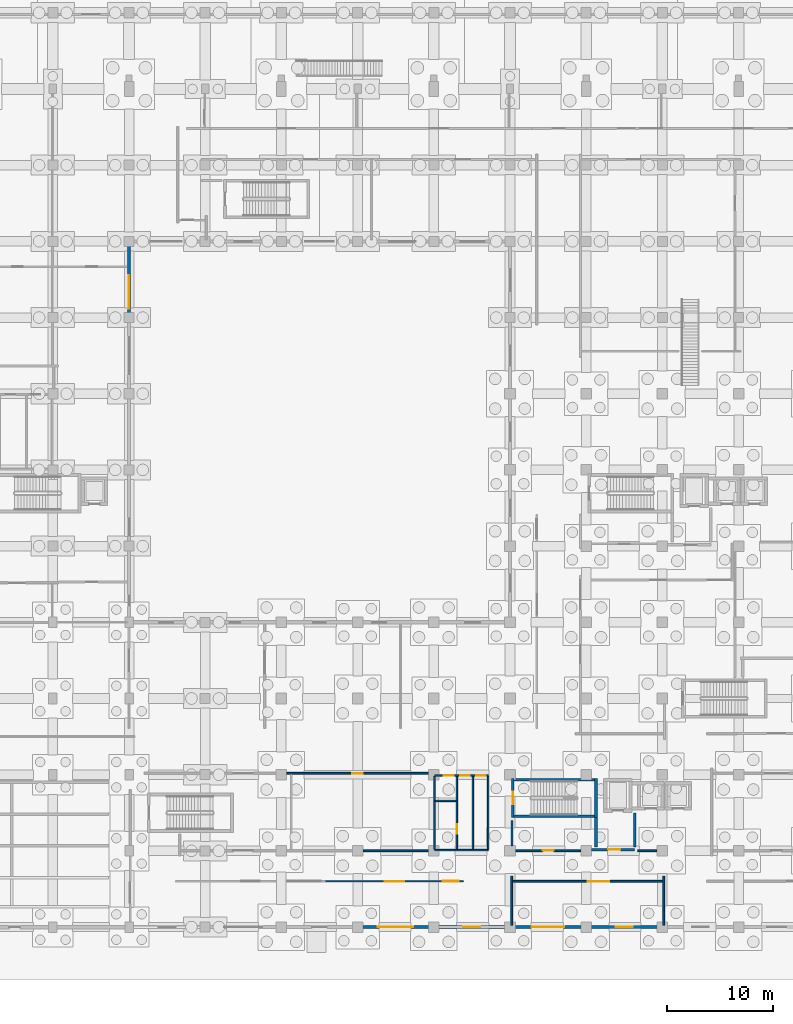
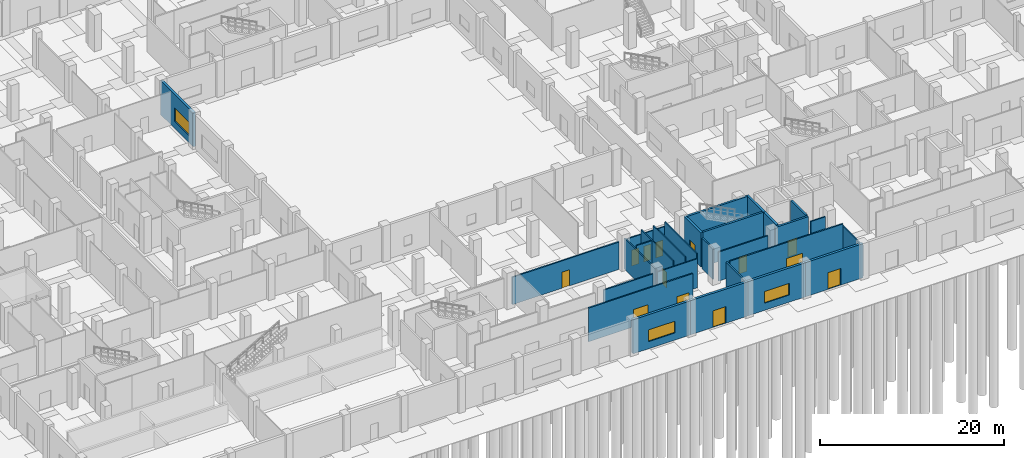
# One storey, part 22 of 48: 28 walls, 12 doors, 4 windows, 16 openings.
"""IFC4 building model written with IfcOpenShell, lengths in metres."""

from ifc_helpers import new_model, si_unit, direction, frame, frame_2d, origin, place, context, subcontext, project, spatial, rectangle, extrude, material, layer, layer_set, type_object, element, fill, save


model = new_model("IFC4")

# Units and contexts
model_context = context("Model", 3, precision=1e-05, world=origin(), true_north=direction((0.0, 1.0)))
body_context = subcontext(model_context, "Body", "Model", "MODEL_VIEW")
ifc_project = project(units=[si_unit("LENGTHUNIT", "METRE"), si_unit("AREAUNIT", "SQUARE_METRE"), si_unit("VOLUMEUNIT", "CUBIC_METRE"), si_unit("PLANEANGLEUNIT", "RADIAN"), si_unit("MASSUNIT", "GRAM", prefix="KILO")], contexts=[model_context])

# Site, building, storey
site_placement = place(None, origin())
site = spatial("IfcSite", under=ifc_project, at=site_placement, CompositionType="ELEMENT")
building_placement = place(site_placement, origin())
building = spatial("IfcBuilding", under=site, at=building_placement, Name="Seraya Terrace Polytechnic", CompositionType="ELEMENT")
storey_placement = place(building_placement, origin())
storey = spatial("IfcBuildingStorey", under=building, at=storey_placement, Name="L00", CompositionType="ELEMENT", Elevation=0.0)

# Wall, opening, door
ifc_material_1 = material(Name="Concrete C40/50", Category="concrete")
ifc_layer_1 = layer(ifc_material_1, 0.300048828125, Name="EW-01")
ifc_layer_set_1 = layer_set([ifc_layer_1], Name="Concrete C40/50")
wall_type_1 = type_object("IfcWallType", Name="EW-01", PredefinedType="SOLIDWALL", material=ifc_layer_set_1)
wall_1_placement = place(storey_placement, frame((93.60009765625, 0.0, 0.0), z_axis=(0.0, 0.0, 1.0), x_axis=(-1.0, 0.0, 0.0)))
wall_1 = element("IfcWall", 1, at=wall_1_placement, inside=storey, type_object=wall_type_1, Name="Exterior structural wall EW-01 L00", PredefinedType="SOLIDWALL", context=body_context, shape_type="SweptSolid", body=[
    extrude(rectangle(XDim=7.2001953125, YDim=0.300048828125, at=frame_2d((3.60009765625, 0.0))), origin(), (0.0, 0.0, 1.0), 4.52001953125),
])
opening_1_placement = place(wall_1_placement, frame((2.800048828125, 0.0, 0.0)))
opening_1 = element("IfcOpeningElement", 2, at=opening_1_placement, cuts=wall_1, Name="Opening ED-03", PredefinedType="OPENING", context=body_context, shape_type="SweptSolid", body=[
    extrude(rectangle(XDim=1.60009765625, YDim=2.199951171875, at=frame_2d((0.800048828125, 1.10009765625))), frame((0.0, 0.162109375, 0.0), z_axis=(0.0, -1.0, 0.0), x_axis=(1.0, 0.0, 0.0)), (0.0, 0.0, 1.0), 0.323974609375),
])
ifc_material_2 = material(Name="Anodised aluminium EN AW-6063 T6", Category="aluminium")
door_type_1 = type_object("IfcDoorType", Name="ED-03", OperationType="DOUBLE_DOOR_SINGLE_SWING", PredefinedType="DOOR", material=ifc_material_2)
door_1_placement = place(opening_1_placement, origin())
door_1 = element("IfcDoor", 3, at=door_1_placement, inside=storey, type_object=door_type_1, Name="Door ED-03 DR-EXIT-L00-027 in WL-EXT-L00-08-10", OperationType="DOUBLE_DOOR_SINGLE_SWING", OverallHeight=2.199951171875, OverallWidth=1.60009765625, PredefinedType="DOOR", context=body_context, shape_type="SweptSolid", body=[
    extrude(rectangle(XDim=1.60009765625, YDim=2.199951171875, at=frame_2d((0.800048828125, 1.10009765625))), frame((0.0, 0.02490234375, 0.0), z_axis=(0.0, -1.0, 0.0), x_axis=(1.0, 0.0, 0.0)), (0.0, 0.0, 1.0), 0.050048828125),
])
fill(opening_1, door_1)

# Wall, opening, window
wall_2_placement = place(storey_placement, frame((86.39990234375, 0.0, 0.0), z_axis=(0.0, 0.0, 1.0), x_axis=(-1.0, 0.0, 0.0)))
wall_2 = element("IfcWall", 4, at=wall_2_placement, inside=storey, type_object=wall_type_1, Name="Exterior structural wall EW-01 L00", PredefinedType="SOLIDWALL", context=body_context, shape_type="SweptSolid", body=[
    extrude(rectangle(XDim=7.199951171875, YDim=0.300048828125, at=frame_2d((3.60009765625, 0.0))), origin(), (0.0, 0.0, 1.0), 4.52001953125),
])
opening_2_placement = place(wall_2_placement, frame((2.050048828125, 0.0, 0.949951171875)))
opening_2 = element("IfcOpeningElement", 5, at=opening_2_placement, cuts=wall_2, Name="Opening WN-24", PredefinedType="OPENING", context=body_context, shape_type="SweptSolid", body=[
    extrude(rectangle(XDim=3.10009765625, YDim=1.550048828125, at=frame_2d((1.550048828125, 0.77490234375))), frame((0.0, 0.162109375, 0.0), z_axis=(0.0, -1.0, 0.0), x_axis=(1.0, 0.0, 0.0)), (0.0, 0.0, 1.0), 0.323974609375),
])
ifc_material_3 = material(Name="Laminated solar-control Low-E double glazing", Category="glass")
window_type_1 = type_object("IfcWindowType", Name="WN-24", PartitioningType="SINGLE_PANEL", PredefinedType="WINDOW", material=ifc_material_3)
window_1_placement = place(opening_2_placement, origin())
window_1 = element("IfcWindow", 6, at=window_1_placement, inside=storey, type_object=window_type_1, Name="Exterior window WN-24 L00", OverallHeight=1.550048828125, OverallWidth=3.10009765625, PartitioningType="SINGLE_PANEL", PredefinedType="WINDOW", context=body_context, shape_type="SweptSolid", body=[
    extrude(rectangle(XDim=3.10009765625, YDim=1.550048828125, at=frame_2d((1.550048828125, 0.77490234375))), frame((0.0, 0.030029296875, 0.0), z_axis=(0.0, -1.0, 0.0), x_axis=(1.0, 0.0, 0.0)), (0.0, 0.0, 1.0), 0.06005859375),
])
fill(opening_2, window_1)

# Wall, opening, door
wall_3_placement = place(storey_placement, frame((79.199951171875, 0.0, 0.0), z_axis=(0.0, 0.0, 1.0), x_axis=(-1.0, 0.0, 0.0)))
wall_3 = element("IfcWall", 7, at=wall_3_placement, inside=storey, type_object=wall_type_1, Name="Exterior structural wall EW-01 L00", PredefinedType="SOLIDWALL", context=body_context, shape_type="SweptSolid", body=[
    extrude(rectangle(XDim=7.199951171875, YDim=0.300048828125, at=frame_2d((3.60009765625, 0.0))), origin(), (0.0, 0.0, 1.0), 4.52001953125),
])
opening_3_placement = place(wall_3_placement, frame((2.800048828125, 0.0, 0.0)))
opening_3 = element("IfcOpeningElement", 8, at=opening_3_placement, cuts=wall_3, Name="Opening ED-03", PredefinedType="OPENING", context=body_context, shape_type="SweptSolid", body=[
    extrude(rectangle(XDim=1.60009765625, YDim=2.199951171875, at=frame_2d((0.800048828125, 1.10009765625))), frame((0.0, 0.162109375, 0.0), z_axis=(0.0, -1.0, 0.0), x_axis=(1.0, 0.0, 0.0)), (0.0, 0.0, 1.0), 0.323974609375),
])
door_2_placement = place(opening_3_placement, origin())
door_2 = element("IfcDoor", 9, at=door_2_placement, inside=storey, type_object=door_type_1, Name="Door ED-03 DR-STEXIT-ST-01 in WL-EXT-L00-08-12", OperationType="DOUBLE_DOOR_SINGLE_SWING", OverallHeight=2.199951171875, OverallWidth=1.60009765625, PredefinedType="DOOR", context=body_context, shape_type="SweptSolid", body=[
    extrude(rectangle(XDim=1.60009765625, YDim=2.199951171875, at=frame_2d((0.800048828125, 1.10009765625))), frame((0.0, 0.02490234375, 0.0), z_axis=(0.0, -1.0, 0.0), x_axis=(1.0, 0.0, 0.0)), (0.0, 0.0, 1.0), 0.050048828125),
])
fill(opening_3, door_2)

# Wall, opening, window
wall_4_placement = place(storey_placement, frame((72.0, 0.0, 0.0), z_axis=(0.0, 0.0, 1.0), x_axis=(-1.0, 0.0, 0.0)))
wall_4 = element("IfcWall", 10, at=wall_4_placement, inside=storey, type_object=wall_type_1, Name="Exterior structural wall EW-01 L00", PredefinedType="SOLIDWALL", context=body_context, shape_type="SweptSolid", body=[
    extrude(rectangle(XDim=7.199951171875, YDim=0.300048828125, at=frame_2d((3.60009765625, 0.0))), origin(), (0.0, 0.0, 1.0), 4.52001953125),
])
opening_4_placement = place(wall_4_placement, frame((1.925048828125, 0.0, 0.949951171875)))
opening_4 = element("IfcOpeningElement", 11, at=opening_4_placement, cuts=wall_4, Name="Opening WN-25", PredefinedType="OPENING", context=body_context, shape_type="SweptSolid", body=[
    extrude(rectangle(XDim=3.35009765625, YDim=1.550048828125, at=frame_2d((1.675048828125, 0.77490234375))), frame((0.0, 0.162109375, 0.0), z_axis=(0.0, -1.0, 0.0), x_axis=(1.0, 0.0, 0.0)), (0.0, 0.0, 1.0), 0.323974609375),
])
window_type_2 = type_object("IfcWindowType", Name="WN-25", PartitioningType="SINGLE_PANEL", PredefinedType="WINDOW", material=ifc_material_3)
window_2_placement = place(opening_4_placement, origin())
window_2 = element("IfcWindow", 12, at=window_2_placement, inside=storey, type_object=window_type_2, Name="Exterior window WN-25 L00", OverallHeight=1.550048828125, OverallWidth=3.35009765625, PartitioningType="SINGLE_PANEL", PredefinedType="WINDOW", context=body_context, shape_type="SweptSolid", body=[
    extrude(rectangle(XDim=3.35009765625, YDim=1.550048828125, at=frame_2d((1.675048828125, 0.77490234375))), frame((0.0, 0.030029296875, 0.0), z_axis=(0.0, -1.0, 0.0), x_axis=(1.0, 0.0, 0.0)), (0.0, 0.0, 1.0), 0.06005859375),
])
fill(opening_4, window_2)

wall_5_placement = place(storey_placement, frame((43.199951171875, 64.64794921875, 0.0), z_axis=(0.0, 0.0, 1.0), x_axis=(0.0, -1.0, 0.0)))
wall_5 = element("IfcWall", 13, at=wall_5_placement, inside=storey, type_object=wall_type_1, Name="Exterior structural wall EW-01 L00", PredefinedType="SOLIDWALL", context=body_context, shape_type="SweptSolid", body=[
    extrude(rectangle(XDim=7.0478515625, YDim=0.300048828125, at=frame_2d((3.52392578125, 0.0))), origin(), (0.0, 0.0, 1.0), 4.52001953125),
])
opening_5_placement = place(wall_5_placement, frame((3.06298828125, 0.0, 0.949951171875)))
opening_5 = element("IfcOpeningElement", 14, at=opening_5_placement, cuts=wall_5, Name="Opening WN-34", PredefinedType="OPENING", context=body_context, shape_type="SweptSolid", body=[
    extrude(rectangle(XDim=3.14990234375, YDim=1.800048828125, at=frame_2d((1.574951171875, 0.89990234375))), frame((0.0, 0.162109375, 0.0), z_axis=(0.0, -1.0, 0.0), x_axis=(1.0, 0.0, 0.0)), (0.0, 0.0, 1.0), 0.323974609375),
])
window_type_3 = type_object("IfcWindowType", Name="WN-34", PartitioningType="SINGLE_PANEL", PredefinedType="WINDOW", material=ifc_material_3)
window_3_placement = place(opening_5_placement, origin())
window_3 = element("IfcWindow", 15, at=window_3_placement, inside=storey, type_object=window_type_3, Name="Exterior window WN-34 L00", OverallHeight=1.800048828125, OverallWidth=3.14990234375, PartitioningType="SINGLE_PANEL", PredefinedType="WINDOW", context=body_context, shape_type="SweptSolid", body=[
    extrude(rectangle(XDim=3.14990234375, YDim=1.800048828125, at=frame_2d((1.574951171875, 0.89990234375))), frame((0.0, 0.030029296875, 0.0), z_axis=(0.0, -1.0, 0.0), x_axis=(1.0, 0.0, 0.0)), (0.0, 0.0, 1.0), 0.06005859375),
])
fill(opening_5, window_3)

# Walls
ifc_material_4 = material(Name="Autoclaved aerated concrete blockwork", Category="masonry")
ifc_layer_2 = layer(ifc_material_4, 0.169921875, Name="PT-02")
ifc_layer_set_2 = layer_set([ifc_layer_2], Name="Autoclaved aerated concrete blockwork")
wall_type_2 = type_object("IfcWallType", Name="PT-02", PredefinedType="PARTITIONING", material=ifc_layer_set_2)
wall_6_placement = place(storey_placement, frame((79.3701171875, 0.162109375, 0.0), z_axis=(0.0, 0.0, 1.0), x_axis=(0.0, 1.0, 0.0)))
element("IfcWall", 16, at=wall_6_placement, inside=storey, type_object=wall_type_2, Name="Internal partition PT-02 L00", PredefinedType="PARTITIONING", context=body_context, shape_type="SweptSolid", body=[
    extrude(rectangle(XDim=4.657958984375, YDim=0.169921875, at=frame_2d((2.3291015625, 0.0))), origin(), (0.0, 0.0, 1.0), 4.080078125),
])
wall_7_placement = place(storey_placement, frame((79.39501953125, 7.7099609375, 0.0), z_axis=(0.0, 0.0, 1.0), x_axis=(0.0, 1.0, 0.0)))
element("IfcWall", 17, at=wall_7_placement, inside=storey, type_object=wall_type_2, Name="Internal partition PT-02 L00", PredefinedType="PARTITIONING", context=body_context, shape_type="SweptSolid", body=[
    extrude(rectangle(XDim=2.345947265625, YDim=0.169921875, at=frame_2d((1.1728515625, 0.0))), origin(), (0.0, 0.0, 1.0), 4.080078125),
])
wall_8_placement = place(storey_placement, frame((93.72998046875, 0.162109375, 0.0), z_axis=(0.0, 0.0, 1.0), x_axis=(0.0, 1.0, 0.0)))
element("IfcWall", 18, at=wall_8_placement, inside=storey, type_object=wall_type_2, Name="Internal partition PT-02 L00", PredefinedType="PARTITIONING", context=body_context, shape_type="SweptSolid", body=[
    extrude(rectangle(XDim=4.657958984375, YDim=0.169921875, at=frame_2d((2.3291015625, 0.0))), origin(), (0.0, 0.0, 1.0), 4.080078125),
])

# Wall, opening, door
wall_9_placement = place(storey_placement, frame((58.110107421875, 14.530029296875, 0.0), z_axis=(0.0, 0.0, 1.0), x_axis=(1.0, 0.0, 0.0)))
wall_9 = element("IfcWall", 19, at=wall_9_placement, inside=storey, type_object=wall_type_2, Name="Internal partition PT-02 L00", PredefinedType="PARTITIONING", context=body_context, shape_type="SweptSolid", body=[
    extrude(rectangle(XDim=13.3798828125, YDim=0.169921875, at=frame_2d((6.68994140625, 0.0))), origin(), (0.0, 0.0, 1.0), 3.6298828125),
])
opening_6_placement = place(wall_9_placement, frame((6.199951171875, 0.0, 0.0)))
opening_6 = element("IfcOpeningElement", 20, at=opening_6_placement, cuts=wall_9, Name="Opening ID-03", PredefinedType="OPENING", context=body_context, shape_type="SweptSolid", body=[
    extrude(rectangle(XDim=0.97998046875, YDim=2.139892578125, at=frame_2d((0.489990234375, 1.06982421875))), frame((0.0, 0.096923828125, 0.0), z_axis=(0.0, -1.0, 0.0), x_axis=(1.0, 0.0, 0.0)), (0.0, 0.0, 1.0), 0.19384765625),
])
ifc_material_5 = material(Name="Malaysian dark red meranti hardwood timber D40", Category="wood")
door_type_2 = type_object("IfcDoorType", Name="ID-03", OperationType="NOTDEFINED", PredefinedType="DOOR", material=ifc_material_5)
door_3_placement = place(opening_6_placement, origin())
door_3 = element("IfcDoor", 21, at=door_3_placement, inside=storey, type_object=door_type_2, Name="Door ID-03 DR-INT-L00-0016 in WL-INT-L00-0043", OperationType="SINGLE_SWING_LEFT", OverallHeight=2.139892578125, OverallWidth=0.97998046875, PredefinedType="DOOR", context=body_context, shape_type="SweptSolid", body=[
    extrude(rectangle(XDim=0.97998046875, YDim=2.139892578125, at=frame_2d((0.489990234375, 1.06982421875))), frame((0.0, 0.02490234375, 0.0), z_axis=(0.0, -1.0, 0.0), x_axis=(1.0, 0.0, 0.0)), (0.0, 0.0, 1.0), 0.050048828125),
])
fill(opening_6, door_3)

wall_10_placement = place(storey_placement, frame((79.469970703125, 4.330078125, 0.0), z_axis=(0.0, 0.0, 1.0), x_axis=(1.0, 0.0, 0.0)))
wall_10 = element("IfcWall", 22, at=wall_10_placement, inside=storey, type_object=wall_type_2, Name="Internal partition PT-02 L00", PredefinedType="PARTITIONING", context=body_context, shape_type="SweptSolid", body=[
    extrude(rectangle(XDim=14.159912109375, YDim=0.169921875, at=frame_2d((7.080078125, 0.0))), origin(), (0.0, 0.0, 1.0), 4.4599609375),
])
opening_7_placement = place(wall_10_placement, frame((7.06005859375, 0.0, 0.0)))
opening_7 = element("IfcOpeningElement", 23, at=opening_7_placement, cuts=wall_10, Name="Opening ID-17", PredefinedType="OPENING", context=body_context, shape_type="SweptSolid", body=[
    extrude(rectangle(XDim=2.0400390625, YDim=2.340087890625, at=frame_2d((1.02001953125, 1.169921875))), frame((0.0, 0.096923828125, 0.0), z_axis=(0.0, -1.0, 0.0), x_axis=(1.0, 0.0, 0.0)), (0.0, 0.0, 1.0), 0.19384765625),
])
door_type_3 = type_object("IfcDoorType", Name="ID-17", OperationType="DOUBLE_DOOR_SINGLE_SWING", PredefinedType="DOOR", material=ifc_material_5)
door_4_placement = place(opening_7_placement, origin())
door_4 = element("IfcDoor", 24, at=door_4_placement, inside=storey, type_object=door_type_3, Name="Door ID-17 DR-INT-L00-0014 in WL-INT-L00-0050", OperationType="DOUBLE_DOOR_SINGLE_SWING", OverallHeight=2.340087890625, OverallWidth=2.0400390625, PredefinedType="DOOR", context=body_context, shape_type="SweptSolid", body=[
    extrude(rectangle(XDim=2.0400390625, YDim=2.340087890625, at=frame_2d((1.02001953125, 1.169921875))), frame((0.0, 0.02490234375, 0.0), z_axis=(0.0, -1.0, 0.0), x_axis=(1.0, 0.0, 0.0)), (0.0, 0.0, 1.0), 0.050048828125),
])
fill(opening_7, door_4)

wall_11_placement = place(storey_placement, frame((79.7099609375, 7.219970703125, 0.0), z_axis=(0.0, 0.0, 1.0), x_axis=(1.0, 0.0, 0.0)))
wall_11 = element("IfcWall", 25, at=wall_11_placement, inside=storey, type_object=wall_type_2, Name="Internal partition PT-02 L00", PredefinedType="PARTITIONING", context=body_context, shape_type="SweptSolid", body=[
    extrude(rectangle(XDim=6.179931640625, YDim=0.169921875, at=frame_2d((3.08984375, 0.0))), origin(), (0.0, 0.0, 1.0), 3.830078125),
])
opening_8_placement = place(wall_11_placement, frame((2.570068359375, 0.0, 0.0)))
opening_8 = element("IfcOpeningElement", 26, at=opening_8_placement, cuts=wall_11, Name="Opening ID-04", PredefinedType="OPENING", context=body_context, shape_type="SweptSolid", body=[
    extrude(rectangle(XDim=1.0400390625, YDim=2.179931640625, at=frame_2d((0.52001953125, 1.08984375))), frame((0.0, 0.096923828125, 0.0), z_axis=(0.0, -1.0, 0.0), x_axis=(1.0, 0.0, 0.0)), (0.0, 0.0, 1.0), 0.19384765625),
])
door_type_4 = type_object("IfcDoorType", Name="ID-04", OperationType="NOTDEFINED", PredefinedType="DOOR", material=ifc_material_5)
door_5_placement = place(opening_8_placement, frame((1.0400390625, 0.0, 0.0), z_axis=(0.0, 0.0, 1.0), x_axis=(-1.0, 0.0, 0.0)))
door_5 = element("IfcDoor", 27, at=door_5_placement, inside=storey, type_object=door_type_4, Name="Door ID-04 DR-INT-L00-0049 in WL-INT-L00-0051", OperationType="SINGLE_SWING_RIGHT", OverallHeight=2.179931640625, OverallWidth=1.0400390625, PredefinedType="DOOR", context=body_context, shape_type="SweptSolid", body=[
    extrude(rectangle(XDim=1.0400390625, YDim=2.179931640625, at=frame_2d((0.52001953125, 1.08984375))), frame((0.0, 0.02490234375, 0.0), z_axis=(0.0, -1.0, 0.0), x_axis=(1.0, 0.0, 0.0)), (0.0, 0.0, 1.0), 0.050048828125),
])
fill(opening_8, door_5)

# Wall
wall_12_placement = place(storey_placement, frame((91.260986328125, 7.219970703125, 0.0), z_axis=(0.0, 0.0, 1.0), x_axis=(1.0, 0.0, 0.0)))
element("IfcWall", 28, at=wall_12_placement, inside=storey, type_object=wall_type_2, Name="Internal partition PT-02 L00", PredefinedType="PARTITIONING", context=body_context, shape_type="SweptSolid", body=[
    extrude(rectangle(XDim=1.8291015625, YDim=0.169921875, at=frame_2d((0.91455078125, 0.0))), origin(), (0.0, 0.0, 1.0), 3.830078125),
])

# Wall, openings, door, window
wall_13_placement = place(storey_placement, frame((61.760009765625, 4.330078125, 0.0), z_axis=(0.0, 0.0, 1.0), x_axis=(1.0, 0.0, 0.0)))
wall_13 = element("IfcWall", 29, at=wall_13_placement, inside=storey, type_object=wall_type_2, Name="Internal partition PT-02 L00", PredefinedType="PARTITIONING", context=body_context, shape_type="SweptSolid", body=[
    extrude(rectangle(XDim=13.052001953125, YDim=0.169921875, at=frame_2d((6.52587890625, 0.0))), origin(), (0.0, 0.0, 1.0), 4.4599609375),
])
opening_9_placement = place(wall_13_placement, frame((5.60595703125, 0.0, 0.0)))
opening_9 = element("IfcOpeningElement", 30, at=opening_9_placement, cuts=wall_13, Name="Opening ID-15", PredefinedType="OPENING", context=body_context, shape_type="SweptSolid", body=[
    extrude(rectangle(XDim=1.840087890625, YDim=2.300048828125, at=frame_2d((0.919921875, 1.14990234375))), frame((0.0, 0.096923828125, 0.0), z_axis=(0.0, -1.0, 0.0), x_axis=(1.0, 0.0, 0.0)), (0.0, 0.0, 1.0), 0.19384765625),
])
opening_10_placement = place(wall_13_placement, frame((11.10205078125, 0.0, 1.050048828125)))
opening_10 = element("IfcOpeningElement", 31, at=opening_10_placement, cuts=wall_13, Name="Opening IW-01", PredefinedType="OPENING", context=body_context, shape_type="SweptSolid", body=[
    extrude(rectangle(XDim=1.5, YDim=1.050048828125, at=frame_2d((0.75, 0.52490234375))), frame((0.0, 0.096923828125, 0.0), z_axis=(0.0, -1.0, 0.0), x_axis=(1.0, 0.0, 0.0)), (0.0, 0.0, 1.0), 0.19384765625),
])
door_type_5 = type_object("IfcDoorType", Name="ID-15", OperationType="DOUBLE_DOOR_SINGLE_SWING", PredefinedType="DOOR", material=ifc_material_5)
door_6_placement = place(opening_9_placement, origin())
door_6 = element("IfcDoor", 32, at=door_6_placement, inside=storey, type_object=door_type_5, Name="Door ID-15 DR-INT-L00-0060 in WL-INT-L00-0054", OperationType="DOUBLE_DOOR_SINGLE_SWING", OverallHeight=2.300048828125, OverallWidth=1.840087890625, PredefinedType="DOOR", context=body_context, shape_type="SweptSolid", body=[
    extrude(rectangle(XDim=1.840087890625, YDim=2.300048828125, at=frame_2d((0.919921875, 1.14990234375))), frame((0.0, 0.02490234375, 0.0), z_axis=(0.0, -1.0, 0.0), x_axis=(1.0, 0.0, 0.0)), (0.0, 0.0, 1.0), 0.050048828125),
])
fill(opening_9, door_6)
window_type_4 = type_object("IfcWindowType", Name="IW-01", PartitioningType="SINGLE_PANEL", PredefinedType="WINDOW", material=ifc_material_3)
window_4_placement = place(opening_10_placement, origin())
window_4 = element("IfcWindow", 33, at=window_4_placement, inside=storey, type_object=window_type_4, Name="Internal lab vision window IW-01 L00", OverallHeight=1.050048828125, OverallWidth=1.5, PartitioningType="SINGLE_PANEL", PredefinedType="WINDOW", context=body_context, shape_type="SweptSolid", body=[
    extrude(rectangle(XDim=1.5, YDim=1.050048828125, at=frame_2d((0.75, 0.52490234375))), frame((0.0, 0.030029296875, 0.0), z_axis=(0.0, -1.0, 0.0), x_axis=(1.0, 0.0, 0.0)), (0.0, 0.0, 1.0), 0.06005859375),
])
fill(opening_10, window_4)

# Walls
wall_14_placement = place(storey_placement, frame((65.31005859375, 7.21923828125, 0.0), z_axis=(0.0, 0.0, 1.0), x_axis=(1.0, 0.0, 0.0)))
element("IfcWall", 34, at=wall_14_placement, inside=storey, type_object=wall_type_2, Name="Internal partition PT-02 L00", PredefinedType="PARTITIONING", context=body_context, shape_type="SweptSolid", body=[
    extrude(rectangle(XDim=6.179931640625, YDim=0.169921875, at=frame_2d((3.08984375, 0.0))), origin(), (0.0, 0.0, 1.0), 3.830078125),
])
ifc_layer_3 = layer(ifc_material_4, 0.139892578125, Name="PT-04")
ifc_layer_set_3 = layer_set([ifc_layer_3], Name="Autoclaved aerated concrete blockwork")
wall_type_3 = type_object("IfcWallType", Name="PT-04", PredefinedType="PARTITIONING", material=ifc_layer_set_3)
wall_15_placement = place(storey_placement, frame((72.070068359375, 7.27001953125, 0.0), z_axis=(0.0, 0.0, 1.0), x_axis=(1.0, 0.0, 0.0)))
element("IfcWall", 35, at=wall_15_placement, inside=storey, type_object=wall_type_3, Name="Sanitary WC-A South wall L00", PredefinedType="PARTITIONING", context=body_context, shape_type="SweptSolid", body=[
    extrude(rectangle(XDim=5.059814453125, YDim=0.139892578125, at=frame_2d((2.52978515625, 0.0))), origin(), (0.0, 0.0, 1.0), 3.830078125),
])

# Wall, openings, doors
wall_16_placement = place(storey_placement, frame((72.070068359375, 14.330078125, 0.0), z_axis=(0.0, 0.0, 1.0), x_axis=(1.0, 0.0, 0.0)))
wall_16 = element("IfcWall", 36, at=wall_16_placement, inside=storey, type_object=wall_type_3, Name="Sanitary WC-A North wall L00", PredefinedType="PARTITIONING", context=body_context, shape_type="SweptSolid", body=[
    extrude(rectangle(XDim=5.059814453125, YDim=0.139892578125, at=frame_2d((2.52978515625, 0.0))), origin(), (0.0, 0.0, 1.0), 3.830078125),
])
opening_11_placement = place(wall_16_placement, frame((0.8798828125, 0.0, 0.0)))
opening_11 = element("IfcOpeningElement", 37, at=opening_11_placement, cuts=wall_16, Name="Opening ID-01", PredefinedType="OPENING", context=body_context, shape_type="SweptSolid", body=[
    extrude(rectangle(XDim=0.93994140625, YDim=2.10009765625, at=frame_2d((0.469970703125, 1.050048828125))), frame((0.0, 0.08203125, 0.0), z_axis=(0.0, -1.0, 0.0), x_axis=(1.0, 0.0, 0.0)), (0.0, 0.0, 1.0), 0.163818359375),
])
opening_12_placement = place(wall_16_placement, frame((2.4150390625, 0.0, 0.0)))
opening_12 = element("IfcOpeningElement", 38, at=opening_12_placement, cuts=wall_16, Name="Opening ID-02", PredefinedType="OPENING", context=body_context, shape_type="SweptSolid", body=[
    extrude(rectangle(XDim=0.89990234375, YDim=2.080078125, at=frame_2d((0.449951171875, 1.0400390625))), frame((0.0, 0.08203125, 0.0), z_axis=(0.0, -1.0, 0.0), x_axis=(1.0, 0.0, 0.0)), (0.0, 0.0, 1.0), 0.163818359375),
])
opening_13_placement = place(wall_16_placement, frame((3.925048828125, 0.0, 0.0)))
opening_13 = element("IfcOpeningElement", 39, at=opening_13_placement, cuts=wall_16, Name="Opening ID-02", PredefinedType="OPENING", context=body_context, shape_type="SweptSolid", body=[
    extrude(rectangle(XDim=0.89990234375, YDim=2.080078125, at=frame_2d((0.449951171875, 1.0400390625))), frame((0.0, 0.08203125, 0.0), z_axis=(0.0, -1.0, 0.0), x_axis=(1.0, 0.0, 0.0)), (0.0, 0.0, 1.0), 0.163818359375),
])
door_type_6 = type_object("IfcDoorType", Name="ID-01", OperationType="NOTDEFINED", PredefinedType="DOOR", material=ifc_material_5)
door_7_placement = place(opening_11_placement, origin())
door_7 = element("IfcDoor", 40, at=door_7_placement, inside=storey, type_object=door_type_6, Name="Door ID-01 DR-WC-WC-A-L00-OKU in WL-WC-WC-A-L00-N", OperationType="SINGLE_SWING_LEFT", OverallHeight=2.10009765625, OverallWidth=0.93994140625, PredefinedType="DOOR", context=body_context, shape_type="SweptSolid", body=[
    extrude(rectangle(XDim=0.93994140625, YDim=2.10009765625, at=frame_2d((0.469970703125, 1.050048828125))), frame((0.0, 0.02490234375, 0.0), z_axis=(0.0, -1.0, 0.0), x_axis=(1.0, 0.0, 0.0)), (0.0, 0.0, 1.0), 0.050048828125),
])
fill(opening_11, door_7)
door_type_7 = type_object("IfcDoorType", Name="ID-02", OperationType="NOTDEFINED", PredefinedType="DOOR", material=ifc_material_5)
door_8_placement = place(opening_12_placement, frame((0.89990234375, 0.0, 0.0), z_axis=(0.0, 0.0, 1.0), x_axis=(-1.0, 0.0, 0.0)))
door_8 = element("IfcDoor", 41, at=door_8_placement, inside=storey, type_object=door_type_7, Name="Door ID-02 DR-WC-WC-A-L00-M in WL-WC-WC-A-L00-N", OperationType="SINGLE_SWING_RIGHT", OverallHeight=2.080078125, OverallWidth=0.89990234375, PredefinedType="DOOR", context=body_context, shape_type="SweptSolid", body=[
    extrude(rectangle(XDim=0.89990234375, YDim=2.080078125, at=frame_2d((0.449951171875, 1.0400390625))), frame((0.0, 0.02490234375, 0.0), z_axis=(0.0, -1.0, 0.0), x_axis=(1.0, 0.0, 0.0)), (0.0, 0.0, 1.0), 0.050048828125),
])
fill(opening_12, door_8)
door_9_placement = place(opening_13_placement, frame((0.89990234375, 0.0, 0.0), z_axis=(0.0, 0.0, 1.0), x_axis=(-1.0, 0.0, 0.0)))
door_9 = element("IfcDoor", 42, at=door_9_placement, inside=storey, type_object=door_type_7, Name="Door ID-02 DR-WC-WC-A-L00-F in WL-WC-WC-A-L00-N", OperationType="SINGLE_SWING_LEFT", OverallHeight=2.080078125, OverallWidth=0.89990234375, PredefinedType="DOOR", context=body_context, shape_type="SweptSolid", body=[
    extrude(rectangle(XDim=0.89990234375, YDim=2.080078125, at=frame_2d((0.449951171875, 1.0400390625))), frame((0.0, 0.02490234375, 0.0), z_axis=(0.0, -1.0, 0.0), x_axis=(1.0, 0.0, 0.0)), (0.0, 0.0, 1.0), 0.050048828125),
])
fill(opening_13, door_9)

# Walls
wall_17_placement = place(storey_placement, frame((72.070068359375, 7.35009765625, 0.0), z_axis=(0.0, 0.0, 1.0), x_axis=(0.0, 1.0, 0.0)))
element("IfcWall", 43, at=wall_17_placement, inside=storey, type_object=wall_type_3, Name="Sanitary WC-A West wall L00", PredefinedType="PARTITIONING", context=body_context, shape_type="SweptSolid", body=[
    extrude(rectangle(XDim=6.89990234375, YDim=0.139892578125, at=frame_2d((3.449951171875, 0.0))), origin(), (0.0, 0.0, 1.0), 4.080078125),
])
wall_18_placement = place(storey_placement, frame((77.1298828125, 7.35009765625, 0.0), z_axis=(0.0, 0.0, 1.0), x_axis=(0.0, 1.0, 0.0)))
element("IfcWall", 44, at=wall_18_placement, inside=storey, type_object=wall_type_3, Name="Sanitary WC-A East wall L00", PredefinedType="PARTITIONING", context=body_context, shape_type="SweptSolid", body=[
    extrude(rectangle(XDim=6.89990234375, YDim=0.139892578125, at=frame_2d((3.449951171875, 0.0))), origin(), (0.0, 0.0, 1.0), 4.4599609375),
])

# Wall, opening, door
wall_19_placement = place(storey_placement, frame((74.179931640625, 7.35009765625, 0.0), z_axis=(0.0, 0.0, 1.0), x_axis=(0.0, 1.0, 0.0)))
wall_19 = element("IfcWall", 45, at=wall_19_placement, inside=storey, type_object=wall_type_3, Name="Sanitary WC-A OKU/Male divider L00", PredefinedType="PARTITIONING", context=body_context, shape_type="SweptSolid", body=[
    extrude(rectangle(XDim=6.89990234375, YDim=0.139892578125, at=frame_2d((3.449951171875, 0.0))), origin(), (0.0, 0.0, 1.0), 4.4599609375),
])
opening_14_placement = place(wall_19_placement, frame((1.449951171875, 0.0, 0.0)))
opening_14 = element("IfcOpeningElement", 46, at=opening_14_placement, cuts=wall_19, Name="Opening ID-02", PredefinedType="OPENING", context=body_context, shape_type="SweptSolid", body=[
    extrude(rectangle(XDim=0.89990234375, YDim=2.080078125, at=frame_2d((0.449951171875, 1.0400390625))), frame((0.0, 0.08203125, 0.0), z_axis=(0.0, -1.0, 0.0), x_axis=(1.0, 0.0, 0.0)), (0.0, 0.0, 1.0), 0.163818359375),
])
door_10_placement = place(opening_14_placement, origin())
door_10 = element("IfcDoor", 47, at=door_10_placement, inside=storey, type_object=door_type_7, Name="Door ID-02 DR-WC-WC-A-L00-CLN in WL-WC-WC-A-L00-D1", OperationType="SINGLE_SWING_RIGHT", OverallHeight=2.080078125, OverallWidth=0.89990234375, PredefinedType="DOOR", context=body_context, shape_type="SweptSolid", body=[
    extrude(rectangle(XDim=0.89990234375, YDim=2.080078125, at=frame_2d((0.449951171875, 1.0400390625))), frame((0.0, 0.02490234375, 0.0), z_axis=(0.0, -1.0, 0.0), x_axis=(1.0, 0.0, 0.0)), (0.0, 0.0, 1.0), 0.050048828125),
])
fill(opening_14, door_10)

# Walls
wall_20_placement = place(storey_placement, frame((75.68994140625, 7.35009765625, 0.0), z_axis=(0.0, 0.0, 1.0), x_axis=(0.0, 1.0, 0.0)))
element("IfcWall", 48, at=wall_20_placement, inside=storey, type_object=wall_type_3, Name="Sanitary WC-A Male/Female divider L00", PredefinedType="PARTITIONING", context=body_context, shape_type="SweptSolid", body=[
    extrude(rectangle(XDim=6.89990234375, YDim=0.139892578125, at=frame_2d((3.449951171875, 0.0))), origin(), (0.0, 0.0, 1.0), 4.4599609375),
])
wall_21_placement = place(storey_placement, frame((72.14990234375, 11.919921875, 0.0), z_axis=(0.0, 0.0, 1.0), x_axis=(1.0, 0.0, 0.0)))
element("IfcWall", 49, at=wall_21_placement, inside=storey, type_object=wall_type_3, Name="Sanitary WC-A OKU/Cleaner divider L00", PredefinedType="PARTITIONING", context=body_context, shape_type="SweptSolid", body=[
    extrude(rectangle(XDim=1.9501953125, YDim=0.139892578125, at=frame_2d((0.97509765625, 0.0))), origin(), (0.0, 0.0, 1.0), 4.4599609375),
])

# Wall, opening, door
ifc_layer_4 = layer(ifc_material_1, 0.25, Name="SW-02")
ifc_layer_set_4 = layer_set([ifc_layer_4], Name="Concrete C40/50")
wall_type_4 = type_object("IfcWallType", Name="SW-02", PredefinedType="SHEAR", material=ifc_layer_set_4)
wall_22_placement = place(storey_placement, frame((79.47509765625, 10.35009765625, 0.0), z_axis=(0.0, 0.0, 1.0), x_axis=(0.0, 1.0, 0.0)))
wall_22 = element("IfcWall", 50, at=wall_22_placement, inside=storey, type_object=wall_type_4, Name="Stairwell ST-01 West wall L00", PredefinedType="SHEAR", context=body_context, shape_type="SweptSolid", body=[
    extrude(rectangle(XDim=3.699951171875, YDim=0.25, at=frame_2d((1.85009765625, 0.0))), origin(), (0.0, 0.0, 1.0), 4.550048828125),
])
opening_15_placement = place(wall_22_placement, frame((1.25, 0.0, 0.0)))
opening_15 = element("IfcOpeningElement", 51, at=opening_15_placement, cuts=wall_22, Name="Opening FD-01", PredefinedType="OPENING", context=body_context, shape_type="SweptSolid", body=[
    extrude(rectangle(XDim=1.199951171875, YDim=2.14990234375, at=frame_2d((0.60009765625, 1.074951171875))), frame((0.0, 0.136962890625, 0.0), z_axis=(0.0, -1.0, 0.0), x_axis=(1.0, 0.0, 0.0)), (0.0, 0.0, 1.0), 0.27392578125),
])
ifc_material_6 = material(Name="Steel S355J2", Category="steel")
door_type_8 = type_object("IfcDoorType", Name="FD-01", OperationType="NOTDEFINED", PredefinedType="DOOR", material=ifc_material_6)
door_11_placement = place(opening_15_placement, origin())
door_11 = element("IfcDoor", 52, at=door_11_placement, inside=storey, type_object=door_type_8, Name="Door FD-01 DR-STR-ST-01-L00 in WL-STR-ST-01-L00-W", OperationType="SINGLE_SWING_RIGHT", OverallHeight=2.14990234375, OverallWidth=1.199951171875, PredefinedType="DOOR", context=body_context, shape_type="SweptSolid", body=[
    extrude(rectangle(XDim=1.199951171875, YDim=2.14990234375, at=frame_2d((0.60009765625, 1.074951171875))), frame((0.0, 0.02490234375, 0.0), z_axis=(0.0, -1.0, 0.0), x_axis=(1.0, 0.0, 0.0)), (0.0, 0.0, 1.0), 0.050048828125),
])
fill(opening_15, door_11)

# Walls
wall_23_placement = place(storey_placement, frame((87.324951171875, 10.35009765625, 0.0), z_axis=(0.0, 0.0, 1.0), x_axis=(0.0, 1.0, 0.0)))
element("IfcWall", 53, at=wall_23_placement, inside=storey, type_object=wall_type_4, Name="Stairwell ST-01 East wall L00", PredefinedType="SHEAR", context=body_context, shape_type="SweptSolid", body=[
    extrude(rectangle(XDim=3.699951171875, YDim=0.25, at=frame_2d((1.85009765625, 0.0))), origin(), (0.0, 0.0, 1.0), 4.550048828125),
])
for number, where, z_axis, x_axis, name in (
    (54, (79.60009765625, 10.47509765625, 0.0), (0.0, 0.0, 1.0), (1.0, 0.0, 0.0), "Stairwell ST-01 South wall L00"),
    (55, (79.60009765625, 13.925048828125, 0.0), (0.0, 0.0, 1.0), (1.0, 0.0, 0.0), "Stairwell ST-01 North wall L00"),
):
    element("IfcWall", number, at=place(storey_placement, frame(where, z_axis=z_axis, x_axis=x_axis)), inside=storey, type_object=wall_type_4, Name=name, PredefinedType="SHEAR", context=body_context, shape_type="SweptSolid", body=[
        extrude(rectangle(XDim=7.599853515625, YDim=0.25, at=frame_2d((3.7998046875, 0.0))), origin(), (0.0, 0.0, 1.0), 4.550048828125),
    ])

# Wall, opening, door
wall_24_placement = place(storey_placement, frame((86.89990234375, 7.324951171875, 0.0), z_axis=(0.0, 0.0, 1.0), x_axis=(1.0, 0.0, 0.0)))
wall_24 = element("IfcWall", 56, at=wall_24_placement, inside=storey, type_object=wall_type_4, Name="Firefighting lobby A South wall L00", PredefinedType="SHEAR", context=body_context, shape_type="SweptSolid", body=[
    extrude(rectangle(XDim=4.0751953125, YDim=0.25, at=frame_2d((2.03759765625, 0.0))), origin(), (0.0, 0.0, 1.0), 4.550048828125),
])
opening_16_placement = place(wall_24_placement, frame((1.574951171875, 0.0, 0.0)))
opening_16 = element("IfcOpeningElement", 57, at=opening_16_placement, cuts=wall_24, Name="Opening FD-02", PredefinedType="OPENING", context=body_context, shape_type="SweptSolid", body=[
    extrude(rectangle(XDim=1.14990234375, YDim=2.14990234375, at=frame_2d((0.574951171875, 1.074951171875))), frame((0.0, 0.136962890625, 0.0), z_axis=(0.0, -1.0, 0.0), x_axis=(1.0, 0.0, 0.0)), (0.0, 0.0, 1.0), 0.27392578125),
])
door_type_9 = type_object("IfcDoorType", Name="FD-02", OperationType="NOTDEFINED", PredefinedType="DOOR", material=ifc_material_6)
door_12_placement = place(opening_16_placement, frame((1.14990234375, 0.0, 0.0), z_axis=(0.0, 0.0, 1.0), x_axis=(-1.0, 0.0, 0.0)))
door_12 = element("IfcDoor", 58, at=door_12_placement, inside=storey, type_object=door_type_9, Name="Door FD-02 DR-FFL-CORE-A-L00 in WL-FFL-CORE-A-L00-S", OperationType="SINGLE_SWING_RIGHT", OverallHeight=2.14990234375, OverallWidth=1.14990234375, PredefinedType="DOOR", context=body_context, shape_type="SweptSolid", body=[
    extrude(rectangle(XDim=1.14990234375, YDim=2.14990234375, at=frame_2d((0.574951171875, 1.074951171875))), frame((0.0, 0.02490234375, 0.0), z_axis=(0.0, -1.0, 0.0), x_axis=(1.0, 0.0, 0.0)), (0.0, 0.0, 1.0), 0.050048828125),
])
fill(opening_16, door_12)

# Walls
wall_25_placement = place(storey_placement, frame((87.324951171875, 7.574951171875, 0.0), z_axis=(0.0, 0.0, 1.0), x_axis=(0.0, 1.0, 0.0)))
element("IfcWall", 59, at=wall_25_placement, inside=storey, type_object=wall_type_4, Name="Firefighting lobby A West wall L00", PredefinedType="SHEAR", context=body_context, shape_type="SweptSolid", body=[
    extrude(rectangle(XDim=2.77001953125, YDim=0.25, at=frame_2d((1.385009765625, 0.0))), origin(), (0.0, 0.0, 1.0), 4.550048828125),
])
wall_26_placement = place(storey_placement, frame((90.97509765625, 7.574951171875, 0.0), z_axis=(0.0, 0.0, 1.0), x_axis=(0.0, 1.0, 0.0)))
element("IfcWall", 60, at=wall_26_placement, inside=storey, type_object=wall_type_4, Name="Firefighting lobby A East wall L00", PredefinedType="SHEAR", context=body_context, shape_type="SweptSolid", body=[
    extrude(rectangle(XDim=3.22509765625, YDim=0.25, at=frame_2d((1.612548828125, 0.0))), origin(), (0.0, 0.0, 1.0), 4.550048828125),
])

save(model, "model.ifc")
